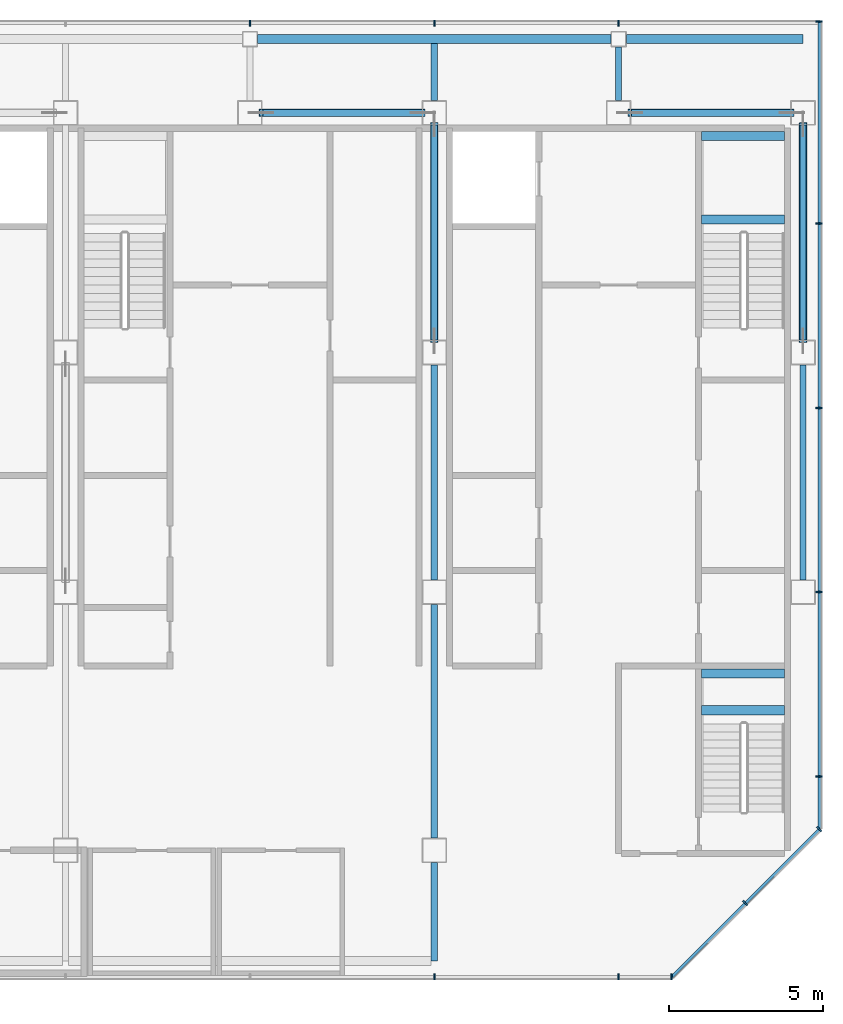
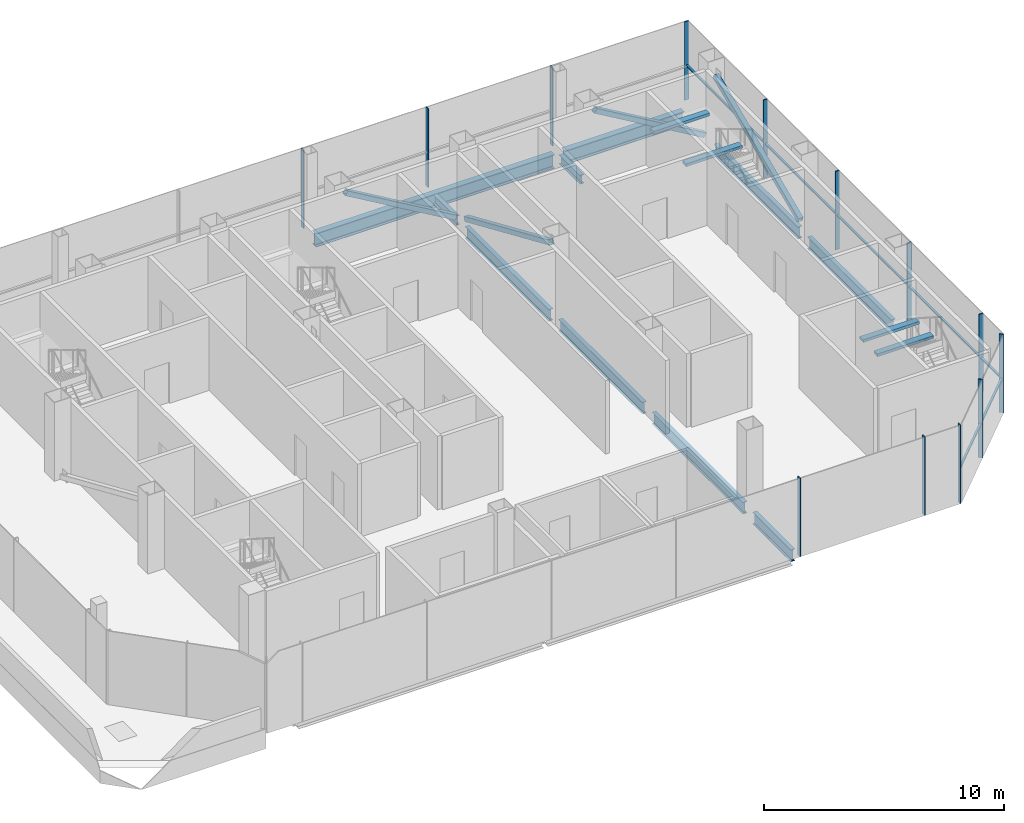
# One storey, part 6 of 11: 19 members, 14 beams, 4 elements without a shape of their own.
"""IFC4 building model written with IfcOpenShell, lengths in metres."""

from ifc_helpers import new_model, si_unit, direction, frame, origin, origin_2d, place, context, subcontext, project, spatial, rectangle, hollow_rectangle, i_section, extrude, material, material_profile, profile_set, type_object, element, aggregate, save


model = new_model("IFC4")

# Units and contexts
model_context = context("Model", 3, precision=1e-05, world=origin(), true_north=direction((0.0, 1.0)))
body_context = subcontext(model_context, "Body", "Model", "MODEL_VIEW")
ifc_project = project(units=[si_unit("LENGTHUNIT", "METRE"), si_unit("AREAUNIT", "SQUARE_METRE"), si_unit("VOLUMEUNIT", "CUBIC_METRE"), si_unit("PLANEANGLEUNIT", "RADIAN"), si_unit("MASSUNIT", "GRAM", prefix="KILO")], contexts=[model_context])

# Site, building, storey
site_placement = place(None, origin())
site = spatial("IfcSite", under=ifc_project, at=site_placement, CompositionType="ELEMENT")
building_placement = place(site_placement, origin())
building = spatial("IfcBuilding", under=site, at=building_placement, Name="Sorahane Residences", CompositionType="ELEMENT")
storey_placement = place(building_placement, frame((0.0, 0.0, 349.800048828125)))
storey = spatial("IfcBuildingStorey", under=building, at=storey_placement, Name="L83", CompositionType="ELEMENT", Elevation=349.800048828125)

# Members
ifc_material_1 = material(Name="Steel Q355B", Category="steel")
ifc_material_profile_1 = material_profile(ifc_material_1, hollow_rectangle(XDim=0.25, YDim=0.25, WallThickness=0.011962890625, InnerFilletRadius=0.006103515625, OuterFilletRadius=0.01806640625, at=origin_2d()), Name="RHS 250x250x12")
ifc_profile_set_1 = profile_set([ifc_material_profile_1], Name="Steel Q355B")
member_type_1 = type_object("IfcMemberType", Name="Core brace RHS 250x250x12 Q355B", PredefinedType="BRACE", material=ifc_profile_set_1)
for number, where, z_axis, x_axis, name in (
    (1, (29.637939453125, 45.60009765625, 0.102783203125), (-0.862574842184, 0.0, 0.505929482864), (0.0, -1.0, 0.0), "Core brace L83 y45.6-4"),
    (2, (41.637939453125, 45.60009765625, 0.102783203125), (-0.862574842184, 0.0, 0.505929482864), (0.0, -1.0, 0.0), "Core brace L83 y45.6-6"),
):
    element("IfcMember", number, at=place(storey_placement, frame(where, z_axis=z_axis, x_axis=x_axis)), inside=storey, type_object=member_type_1, Name=name, PredefinedType="BRACE", context=body_context, shape_type="SweptSolid", body=[
        extrude(hollow_rectangle(XDim=0.25, YDim=0.25, WallThickness=0.011962890625, InnerFilletRadius=0.006103515625, OuterFilletRadius=0.01806640625, at=origin_2d()), origin(), (0.0, 0.0, 1.0), 6.116455078125),
    ])
for number, where, z_axis, x_axis, name in (
    (3, (42.0, 38.169921875, 0.11181640625), (0.0, 0.916757291072, 0.399444701138), (-1.0, 0.0, 0.0), "Core brace L83 x42-3"),
    (4, (30.0, 45.22998046875, 0.11181640625), (0.0, -0.916757291072, 0.399444701138), (1.0, 0.0, 0.0), "Core brace L83 x30-2"),
):
    element("IfcMember", number, at=place(storey_placement, frame(where, z_axis=z_axis, x_axis=x_axis)), inside=storey, type_object=member_type_1, Name=name, PredefinedType="BRACE", context=body_context, shape_type="SweptSolid", body=[
        extrude(hollow_rectangle(XDim=0.25, YDim=0.25, WallThickness=0.011962890625, InnerFilletRadius=0.006103515625, OuterFilletRadius=0.01806640625, at=origin_2d()), origin(), (0.0, 0.0, 1.0), 7.701171875),
    ])

# Curtain wall, members
ifc_material_2 = material(Name="Dark low-e glass and black anodised aluminium", Category="aluminium")
curtain_wall_type = type_object("IfcCurtainWallType", Name="Curtain wall CW-6 Crown unitised wall", PredefinedType="NOTDEFINED", material=ifc_material_2)
curtain_wall_1_placement = place(storey_placement, origin())
curtain_wall_1 = element("IfcCurtainWall", 5, at=curtain_wall_1_placement, inside=storey, type_object=curtain_wall_type, Name="CW-6 curtain wall L83 S1", PredefinedType="NOTDEFINED")
ifc_material_3 = material(Name="Black anodised aluminium", Category="aluminium")
ifc_material_profile_2 = material_profile(ifc_material_3, rectangle(XDim=0.199951171875, YDim=0.050048828125, at=origin_2d()), Name="Curtain wall mullion CW-6 black anodised aluminium 50x200")
ifc_profile_set_2 = profile_set([ifc_material_profile_2], Name="Black anodised aluminium")
member_type_2 = type_object("IfcMemberType", Name="Curtain wall mullion CW-6 black anodised aluminium 50x200", PredefinedType="MULLION", material=ifc_profile_set_2)
member_1_placement = place(storey_placement, frame((30.0, 17.47998046875, -0.25), z_axis=(0.0, 0.0, 1.0), x_axis=(0.0, -1.0, 0.0)))
member_1 = element("IfcMember", 6, at=member_1_placement, type_object=member_type_2, Name="CW-6 mullion L83 S1.6", PredefinedType="MULLION", context=body_context, shape_type="SweptSolid", body=[
    extrude(rectangle(XDim=0.199951171875, YDim=0.050048828125, at=origin_2d()), origin(), (0.0, 0.0, 1.0), 4.0),
])
member_2_placement = place(storey_placement, frame((36.0, 17.47998046875, -0.25), z_axis=(0.0, 0.0, 1.0), x_axis=(0.0, -1.0, 0.0)))
member_2 = element("IfcMember", 7, at=member_2_placement, type_object=member_type_2, Name="CW-6 mullion L83 S1.7", PredefinedType="MULLION", context=body_context, shape_type="SweptSolid", body=[
    extrude(rectangle(XDim=0.199951171875, YDim=0.050048828125, at=origin_2d()), origin(), (0.0, 0.0, 1.0), 4.0),
])
member_3_placement = place(storey_placement, frame((37.7236328125, 17.47998046875, -0.25), z_axis=(0.0, 0.0, 1.0), x_axis=(0.0, -1.0, 0.0)))
member_3 = element("IfcMember", 8, at=member_3_placement, type_object=member_type_2, Name="CW-6 mullion L83 S1.8", PredefinedType="MULLION", context=body_context, shape_type="SweptSolid", body=[
    extrude(rectangle(XDim=0.199951171875, YDim=0.050048828125, at=origin_2d()), origin(), (0.0, 0.0, 1.0), 4.0),
])
aggregate(curtain_wall_1, [member_1, member_2, member_3])

curtain_wall_2_placement = place(storey_placement, origin())
curtain_wall_2 = element("IfcCurtainWall", 9, at=curtain_wall_2_placement, inside=storey, type_object=curtain_wall_type, Name="CW-6 curtain wall L83 SE1", PredefinedType="NOTDEFINED")
member_4_placement = place(storey_placement, frame((40.11767578125, 19.88232421875, -0.25), z_axis=(0.0, 0.0, 1.0), x_axis=(0.707106781187, -0.707106781187, 0.0)))
member_4 = element("IfcMember", 10, at=member_4_placement, type_object=member_type_2, Name="CW-6 mullion L83 SE1.2", PredefinedType="MULLION", context=body_context, shape_type="SweptSolid", body=[
    extrude(rectangle(XDim=0.199951171875, YDim=0.050048828125, at=origin_2d()), origin(), (0.0, 0.0, 1.0), 4.0),
])
member_5_placement = place(storey_placement, frame((42.525634765625, 22.290283203125, -0.25), z_axis=(0.0, 0.0, 1.0), x_axis=(0.707106781187, -0.707106781187, 0.0)))
member_5 = element("IfcMember", 11, at=member_5_placement, type_object=member_type_2, Name="CW-6 mullion L83 SE1.3", PredefinedType="MULLION", context=body_context, shape_type="SweptSolid", body=[
    extrude(rectangle(XDim=0.199951171875, YDim=0.050048828125, at=origin_2d()), origin(), (0.0, 0.0, 1.0), 4.0),
])

curtain_wall_3_placement = place(storey_placement, origin())
curtain_wall_3 = element("IfcCurtainWall", 12, at=curtain_wall_3_placement, inside=storey, type_object=curtain_wall_type, Name="CW-6 curtain wall L83 E1", PredefinedType="NOTDEFINED")
member_6_placement = place(storey_placement, frame((42.52001953125, 24.0, -0.25), z_axis=(0.0, 0.0, 1.0), x_axis=(1.0, 0.0, 0.0)))
member_6 = element("IfcMember", 13, at=member_6_placement, type_object=member_type_2, Name="CW-6 mullion L83 E1.2", PredefinedType="MULLION", context=body_context, shape_type="SweptSolid", body=[
    extrude(rectangle(XDim=0.199951171875, YDim=0.050048828125, at=origin_2d()), origin(), (0.0, 0.0, 1.0), 4.0),
])
member_7_placement = place(storey_placement, frame((42.52001953125, 30.0, -0.25), z_axis=(0.0, 0.0, 1.0), x_axis=(1.0, 0.0, 0.0)))
member_7 = element("IfcMember", 14, at=member_7_placement, type_object=member_type_2, Name="CW-6 mullion L83 E1.3", PredefinedType="MULLION", context=body_context, shape_type="SweptSolid", body=[
    extrude(rectangle(XDim=0.199951171875, YDim=0.050048828125, at=origin_2d()), origin(), (0.0, 0.0, 1.0), 4.0),
])
member_8_placement = place(storey_placement, frame((42.52001953125, 36.0, -0.25), z_axis=(0.0, 0.0, 1.0), x_axis=(1.0, 0.0, 0.0)))
member_8 = element("IfcMember", 15, at=member_8_placement, type_object=member_type_2, Name="CW-6 mullion L83 E1.4", PredefinedType="MULLION", context=body_context, shape_type="SweptSolid", body=[
    extrude(rectangle(XDim=0.199951171875, YDim=0.050048828125, at=origin_2d()), origin(), (0.0, 0.0, 1.0), 4.0),
])
member_9_placement = place(storey_placement, frame((42.52001953125, 42.0, -0.25), z_axis=(0.0, 0.0, 1.0), x_axis=(1.0, 0.0, 0.0)))
member_9 = element("IfcMember", 16, at=member_9_placement, type_object=member_type_2, Name="CW-6 mullion L83 E1.5", PredefinedType="MULLION", context=body_context, shape_type="SweptSolid", body=[
    extrude(rectangle(XDim=0.199951171875, YDim=0.050048828125, at=origin_2d()), origin(), (0.0, 0.0, 1.0), 4.0),
])
member_10_placement = place(storey_placement, frame((42.52001953125, 48.574951171875, -0.25), z_axis=(0.0, 0.0, 1.0), x_axis=(1.0, 0.0, 0.0)))
member_10 = element("IfcMember", 17, at=member_10_placement, type_object=member_type_2, Name="CW-6 mullion L83 E1.6", PredefinedType="MULLION", context=body_context, shape_type="SweptSolid", body=[
    extrude(rectangle(XDim=0.199951171875, YDim=0.050048828125, at=origin_2d()), origin(), (0.0, 0.0, 1.0), 4.0),
])

curtain_wall_4_placement = place(storey_placement, origin())
curtain_wall_4 = element("IfcCurtainWall", 18, at=curtain_wall_4_placement, inside=storey, type_object=curtain_wall_type, Name="CW-6 curtain wall L83 N1", PredefinedType="NOTDEFINED")
member_11_placement = place(storey_placement, frame((36.0, 48.52001953125, -0.25), z_axis=(0.0, 0.0, 1.0), x_axis=(0.0, 1.0, 0.0)))
member_11 = element("IfcMember", 19, at=member_11_placement, type_object=member_type_2, Name="CW-6 mullion L83 N1.2", PredefinedType="MULLION", context=body_context, shape_type="SweptSolid", body=[
    extrude(rectangle(XDim=0.199951171875, YDim=0.050048828125, at=origin_2d()), origin(), (0.0, 0.0, 1.0), 4.0),
])
member_12_placement = place(storey_placement, frame((30.0, 48.52001953125, -0.25), z_axis=(0.0, 0.0, 1.0), x_axis=(0.0, 1.0, 0.0)))
member_12 = element("IfcMember", 20, at=member_12_placement, type_object=member_type_2, Name="CW-6 mullion L83 N1.3", PredefinedType="MULLION", context=body_context, shape_type="SweptSolid", body=[
    extrude(rectangle(XDim=0.199951171875, YDim=0.050048828125, at=origin_2d()), origin(), (0.0, 0.0, 1.0), 4.0),
])
member_13_placement = place(storey_placement, frame((24.0, 48.52001953125, -0.25), z_axis=(0.0, 0.0, 1.0), x_axis=(0.0, 1.0, 0.0)))
member_13 = element("IfcMember", 21, at=member_13_placement, type_object=member_type_2, Name="CW-6 mullion L83 N1.4", PredefinedType="MULLION", context=body_context, shape_type="SweptSolid", body=[
    extrude(rectangle(XDim=0.199951171875, YDim=0.050048828125, at=origin_2d()), origin(), (0.0, 0.0, 1.0), 4.0),
])
aggregate(curtain_wall_4, [member_11, member_12, member_13])

# Member
ifc_material_4 = material(Name="Black anodised aluminium", Category="aluminium")
ifc_material_profile_3 = material_profile(ifc_material_4, rectangle(XDim=0.10009765625, YDim=0.06005859375, at=origin_2d()), Name="Curtain wall transom CW-6 black anodised aluminium 60x100")
ifc_profile_set_3 = profile_set([ifc_material_profile_3], Name="Black anodised aluminium")
member_type_3 = type_object("IfcMemberType", Name="Curtain wall transom CW-6 black anodised aluminium 60x100", PredefinedType="USERDEFINED", material=ifc_profile_set_3)
member_14_placement = place(storey_placement, frame((37.734375, 17.48486328125, 1.5), z_axis=(0.707106781187, 0.707106781187, 0.0), x_axis=(-0.707106781187, 0.707106781187, 0.0)))
member_14 = element("IfcMember", 22, at=member_14_placement, type_object=member_type_3, Name="CW-6 transom L83 SE1", ObjectType="TRANSOM", PredefinedType="USERDEFINED", context=body_context, shape_type="SweptSolid", body=[
    extrude(rectangle(XDim=0.10009765625, YDim=0.06005859375, at=origin_2d()), origin(), (0.0, 0.0, 1.0), 6.760986328125),
])

aggregate(curtain_wall_2, [member_4, member_5, member_14])

member_15_placement = place(storey_placement, frame((42.530029296875, 22.301513671875, 1.5), z_axis=(0.0, 1.0, 0.0), x_axis=(-1.0, 0.0, 0.0)))
member_15 = element("IfcMember", 23, at=member_15_placement, type_object=member_type_3, Name="CW-6 transom L83 E1", ObjectType="TRANSOM", PredefinedType="USERDEFINED", context=body_context, shape_type="SweptSolid", body=[
    extrude(rectangle(XDim=0.10009765625, YDim=0.06005859375, at=origin_2d()), origin(), (0.0, 0.0, 1.0), 26.24853515625),
])

aggregate(curtain_wall_3, [member_6, member_7, member_8, member_9, member_10, member_15])

# Beams
ifc_material_5 = material(Name="Concrete C40", Category="concrete")
ifc_material_profile_4 = material_profile(ifc_material_5, rectangle(XDim=0.300048828125, YDim=0.139892578125, at=origin_2d()), Name="300x140")
ifc_profile_set_4 = profile_set([ifc_material_profile_4], Name="Concrete C40")
beam_type_1 = type_object("IfcBeamType", Name="RC landing beam 300 x 140 Concrete C40", PredefinedType="BEAM", material=ifc_profile_set_4)
for number, where, z_axis, x_axis, name in (
    (24, (38.699951171875, 42.1298828125, 1.72998046875), (1.0, 0.0, 0.0), (0.0, 1.0, 0.0), "Landing beam"),
    (25, (38.699951171875, 44.85009765625, 1.72998046875), (1.0, 0.0, 0.0), (0.0, 1.0, 0.0), "Landing beam"),
    (26, (38.699951171875, 26.159912109375, 1.72998046875), (1.0, 0.0, 0.0), (0.0, 1.0, 0.0), "Landing beam"),
    (27, (38.699951171875, 27.35009765625, 1.72998046875), (1.0, 0.0, 0.0), (0.0, 1.0, 0.0), "Landing beam"),
):
    element("IfcBeam", number, at=place(storey_placement, frame(where, z_axis=z_axis, x_axis=x_axis)), inside=storey, type_object=beam_type_1, Name=name, PredefinedType="BEAM", context=body_context, shape_type="SweptSolid", body=[
        extrude(rectangle(XDim=0.300048828125, YDim=0.139892578125, at=origin_2d()), origin(), (0.0, 0.0, 1.0), 2.699951171875),
    ])
ifc_material_6 = material(Name="Steel Q355B", Category="steel")
ifc_material_profile_5 = material_profile(ifc_material_6, i_section(OverallWidth=0.199951171875, OverallDepth=0.449951171875, WebThickness=0.009033203125, FlangeThickness=0.013916015625, FilletRadius=0.02001953125, at=origin_2d()), Name="HN 450x200x9x14")
ifc_profile_set_5 = profile_set([ifc_material_profile_5], Name="Steel Q355B")
beam_type_2 = type_object("IfcBeamType", Name="Steel floor beam HN 450x200x9x14 Q355B", PredefinedType="BEAM", material=ifc_profile_set_5)
beam_1_placement = place(storey_placement, frame((30.0, 46.0, -0.47509765625), z_axis=(0.0, 1.0, 0.0), x_axis=(-1.0, 0.0, 0.0)))
element("IfcBeam", 28, at=beam_1_placement, inside=storey, type_object=beam_type_2, Name="Beam L83 022", PredefinedType="BEAM", context=body_context, shape_type="SweptSolid", body=[
    extrude(i_section(OverallWidth=0.199951171875, OverallDepth=0.449951171875, WebThickness=0.009033203125, FlangeThickness=0.013916015625, FilletRadius=0.02001953125, at=origin_2d()), origin(), (0.0, 0.0, 1.0), 1.85009765625),
])
beam_2_placement = place(storey_placement, frame((36.0, 46.0, -0.47509765625), z_axis=(0.0, 1.0, 0.0), x_axis=(-1.0, 0.0, 0.0)))
element("IfcBeam", 29, at=beam_2_placement, inside=storey, type_object=beam_type_2, Name="Beam L83 024", PredefinedType="BEAM", context=body_context, shape_type="SweptSolid", body=[
    extrude(i_section(OverallWidth=0.199951171875, OverallDepth=0.449951171875, WebThickness=0.009033203125, FlangeThickness=0.013916015625, FilletRadius=0.02001953125, at=origin_2d()), origin(), (0.0, 0.0, 1.0), 1.75),
])
ifc_material_7 = material(Name="Steel Q355B", Category="steel")
ifc_material_profile_6 = material_profile(ifc_material_7, i_section(OverallWidth=0.199951171875, OverallDepth=0.60009765625, WebThickness=0.010986328125, FlangeThickness=0.01708984375, FilletRadius=0.02392578125, at=origin_2d()), Name="HN 600x200x11x17")
ifc_profile_set_6 = profile_set([ifc_material_profile_6], Name="Steel Q355B")
beam_type_3 = type_object("IfcBeamType", Name="Steel floor beam HN 600x200x11x17 Q355B", PredefinedType="BEAM", material=ifc_profile_set_6)
beam_3_placement = place(storey_placement, frame((30.0, 22.0, -0.550048828125), z_axis=(0.0, 1.0, 0.0), x_axis=(-1.0, 0.0, 0.0)))
element("IfcBeam", 30, at=beam_3_placement, inside=storey, type_object=beam_type_3, Name="Beam L83 019", PredefinedType="BEAM", context=body_context, shape_type="SweptSolid", body=[
    extrude(i_section(OverallWidth=0.199951171875, OverallDepth=0.60009765625, WebThickness=0.010986328125, FlangeThickness=0.01708984375, FilletRadius=0.02392578125, at=origin_2d()), origin(), (0.0, 0.0, 1.0), 7.60009765625),
])
for number, where, z_axis, x_axis, name in (
    (31, (30.0, 30.39990234375, -0.550048828125), (0.0, 1.0, 0.0), (-1.0, 0.0, 0.0), "Beam L83 020"),
    (32, (30.0, 38.199951171875, -0.550048828125), (0.0, 1.0, 0.0), (-1.0, 0.0, 0.0), "Beam L83 021"),
):
    element("IfcBeam", number, at=place(storey_placement, frame(where, z_axis=z_axis, x_axis=x_axis)), inside=storey, type_object=beam_type_3, Name=name, PredefinedType="BEAM", context=body_context, shape_type="SweptSolid", body=[
        extrude(i_section(OverallWidth=0.199951171875, OverallDepth=0.60009765625, WebThickness=0.010986328125, FlangeThickness=0.01708984375, FilletRadius=0.02392578125, at=origin_2d()), origin(), (0.0, 0.0, 1.0), 7.0),
    ])
beam_4_placement = place(storey_placement, frame((30.0, 18.0, -0.550048828125), z_axis=(0.0, 1.0, 0.0), x_axis=(-1.0, 0.0, 0.0)))
element("IfcBeam", 33, at=beam_4_placement, inside=storey, type_object=beam_type_3, Name="Beam L83 023", PredefinedType="BEAM", context=body_context, shape_type="SweptSolid", body=[
    extrude(i_section(OverallWidth=0.199951171875, OverallDepth=0.60009765625, WebThickness=0.010986328125, FlangeThickness=0.01708984375, FilletRadius=0.02392578125, at=origin_2d()), origin(), (0.0, 0.0, 1.0), 3.199951171875),
])
for number, where, z_axis, x_axis, name in (
    (34, (42.0, 30.39990234375, -0.550048828125), (0.0, 1.0, 0.0), (-1.0, 0.0, 0.0), "Beam L83 025"),
    (35, (42.0, 38.199951171875, -0.550048828125), (0.0, 1.0, 0.0), (-1.0, 0.0, 0.0), "Beam L83 026"),
):
    element("IfcBeam", number, at=place(storey_placement, frame(where, z_axis=z_axis, x_axis=x_axis)), inside=storey, type_object=beam_type_3, Name=name, PredefinedType="BEAM", context=body_context, shape_type="SweptSolid", body=[
        extrude(i_section(OverallWidth=0.199951171875, OverallDepth=0.60009765625, WebThickness=0.010986328125, FlangeThickness=0.01708984375, FilletRadius=0.02392578125, at=origin_2d()), origin(), (0.0, 0.0, 1.0), 7.0),
    ])
ifc_material_8 = material(Name="Steel Q355B", Category="steel")
ifc_material_profile_7 = material_profile(ifc_material_8, i_section(OverallWidth=0.300048828125, OverallDepth=0.699951171875, WebThickness=0.012939453125, FlangeThickness=0.02392578125, FilletRadius=0.028076171875, at=origin_2d()), Name="HN 700x300x13x24")
ifc_profile_set_7 = profile_set([ifc_material_profile_7], Name="Steel Q355B")
beam_type_4 = type_object("IfcBeamType", Name="Steel floor beam HN 700x300x13x24 Q355B", PredefinedType="BEAM", material=ifc_profile_set_7)
beam_5_placement = place(storey_placement, frame((24.25, 48.0, -0.60009765625), z_axis=(1.0, 0.0, 0.0), x_axis=(0.0, 1.0, 0.0)))
element("IfcBeam", 36, at=beam_5_placement, inside=storey, type_object=beam_type_4, Name="Beam L83 002", PredefinedType="BEAM", context=body_context, shape_type="SweptSolid", body=[
    extrude(i_section(OverallWidth=0.300048828125, OverallDepth=0.699951171875, WebThickness=0.012939453125, FlangeThickness=0.02392578125, FilletRadius=0.028076171875, at=origin_2d()), origin(), (0.0, 0.0, 1.0), 11.5),
])
beam_6_placement = place(storey_placement, frame((36.25, 48.0, -0.60009765625), z_axis=(1.0, 0.0, 0.0), x_axis=(0.0, 1.0, 0.0)))
element("IfcBeam", 37, at=beam_6_placement, inside=storey, type_object=beam_type_4, Name="Beam L83 003", PredefinedType="BEAM", context=body_context, shape_type="SweptSolid", body=[
    extrude(i_section(OverallWidth=0.300048828125, OverallDepth=0.699951171875, WebThickness=0.012939453125, FlangeThickness=0.02392578125, FilletRadius=0.028076171875, at=origin_2d()), origin(), (0.0, 0.0, 1.0), 5.75),
])

save(model, "model.ifc")
